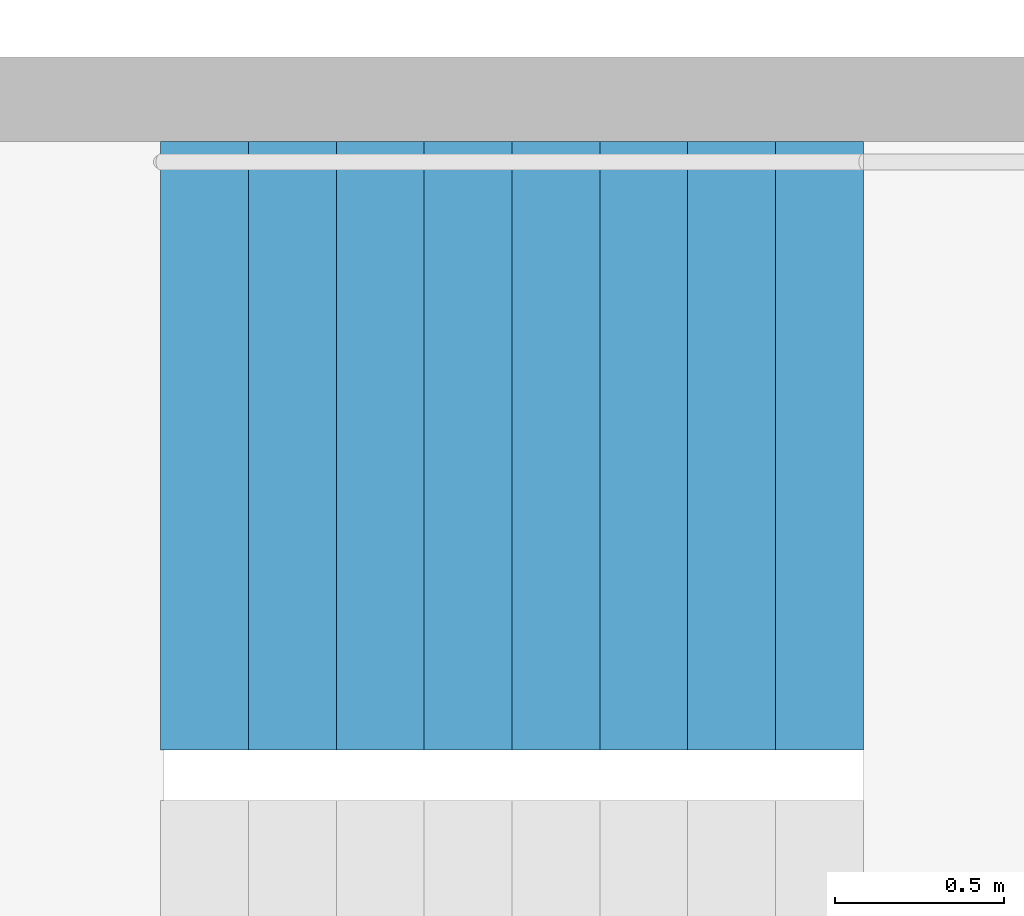
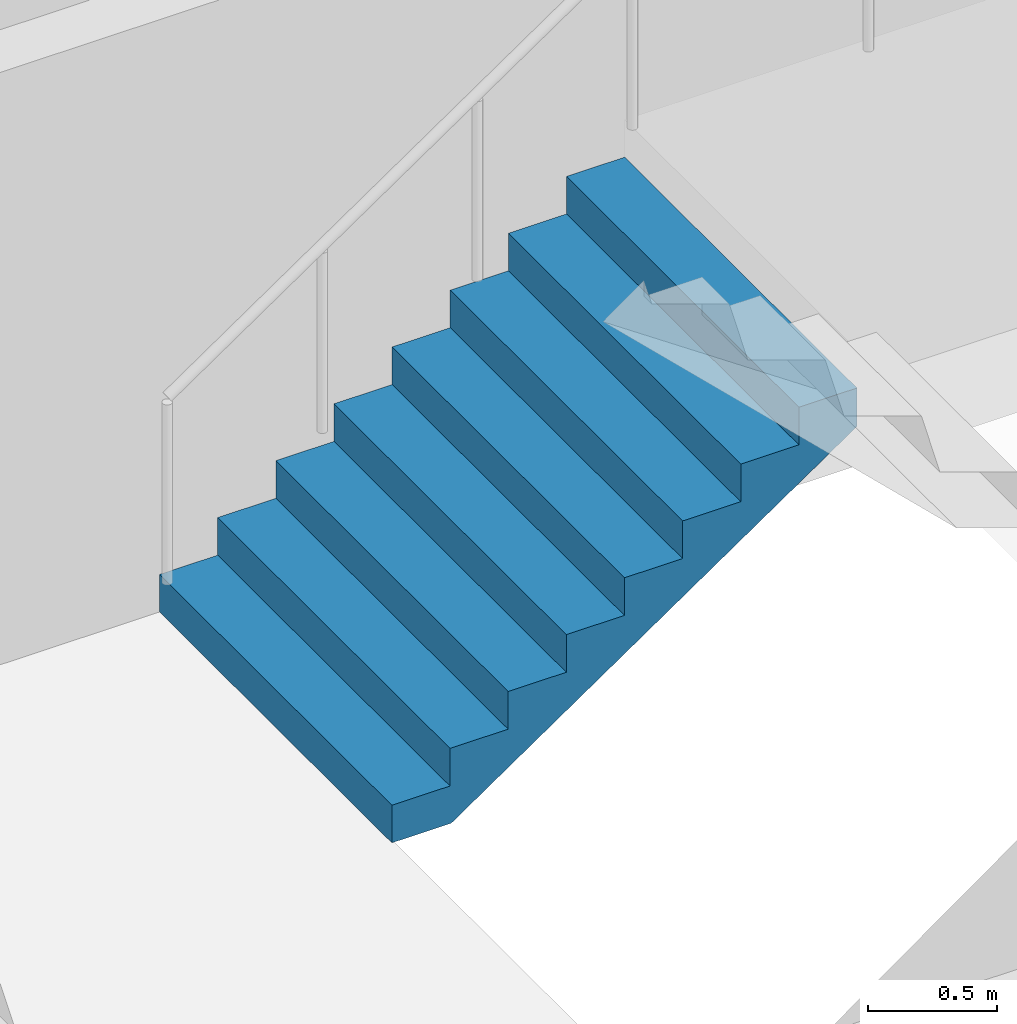
# One storey, part 25 of 28: 1 stair flight, 1 element without a shape of its own.
"""IFC4 building model written with IfcOpenShell, lengths in metres."""

import ifcopenshell
import ifcopenshell.guid

model = None  # the IFC model being written
_history = None  # IfcOwnerHistory: only IFC2X3 demands one
_inside = {}  # id of a spatial element -> (the spatial element, [elements in it])
_under = {}  # id of a project, library or spatial element -> (it, [spatial elements below it])
_declared = {}  # id of a project -> (the project, [libraries it declares])
_typed = {}  # id of a type object -> (the type object, [elements of that type])
_made_of = {}  # id of a material, layer set ... -> (it, [elements and type objects made of it])


def new_model(schema):
    """Start an empty IFC model of exactly this schema.

    Asked for "IFC4X3", IfcOpenShell would pick the latest addendum, in which some entities
    have other attributes; the version numbers below select the first issue.
    IFC2X3 requires an IfcOwnerHistory on every rooted entity: one is made here for all.
    """
    global model, _history
    if schema == "IFC4X3":
        model = ifcopenshell.file(schema_version=(4, 3, 0, 0))
    else:
        model = ifcopenshell.file(schema=schema)
    _inside.clear()
    _under.clear()
    _declared.clear()
    _typed.clear()
    _made_of.clear()
    _history = None
    if model.schema == "IFC2X3":
        org = make("IfcOrganization", Name="unknown")
        user = make(
            "IfcPersonAndOrganization",
            ThePerson=make("IfcPerson", FamilyName="unknown"),
            TheOrganization=org,
        )
        app = make(
            "IfcApplication",
            ApplicationDeveloper=org,
            Version="unknown",
            ApplicationFullName="unknown",
            ApplicationIdentifier="unknown",
        )
        _history = make(
            "IfcOwnerHistory",
            OwningUser=user,
            OwningApplication=app,
            ChangeAction="ADDED",
            CreationDate=0,
        )
    return model


def make(cls, **values):
    """One entity of the class cls with the attributes given. An attribute that is None is left unset."""
    return model.create_entity(
        cls, **{name: value for name, value in values.items() if value is not None}
    )


def rooted(cls, **values):
    """An entity with a GlobalId (a new one), such as an element, a storey or a relation."""
    return make(cls, GlobalId=ifcopenshell.guid.new(), OwnerHistory=_history, **values)


def si_unit(unit_type, name, prefix=None):
    """IfcSIUnit, for example si_unit("LENGTHUNIT", "METRE", prefix="MILLI")."""
    return make("IfcSIUnit", UnitType=unit_type, Prefix=prefix, Name=name)


def assignment(units):
    """IfcUnitAssignment: the units of a project."""
    return None if units is None else make("IfcUnitAssignment", Units=units)


def point(xyz):
    """IfcCartesianPoint."""
    return None if xyz is None else make("IfcCartesianPoint", Coordinates=xyz)


def direction(xyz):
    """IfcDirection."""
    return None if xyz is None else make("IfcDirection", DirectionRatios=xyz)


def frame(location, z_axis=None, x_axis=None):
    """IfcAxis2Placement3D, a coordinate frame: its origin and axes. An axis left out is left unset."""
    return make(
        "IfcAxis2Placement3D",
        Location=point(location),
        Axis=direction(z_axis),
        RefDirection=direction(x_axis),
    )


def origin():
    """The frame at (0, 0, 0) with its axes left unset."""
    return frame((0.0, 0.0, 0.0))


def place(relative_to, where):
    """IfcLocalPlacement: puts the frame where relative to a parent placement (None: the world)."""
    return make(
        "IfcLocalPlacement", PlacementRelTo=relative_to, RelativePlacement=where
    )


def context(
    kind, dimensions, precision=None, world=None, true_north=None, identifier=None
):
    """IfcGeometricRepresentationContext, for example the 3D "Model" context."""
    return make(
        "IfcGeometricRepresentationContext",
        ContextIdentifier=identifier,
        ContextType=kind,
        CoordinateSpaceDimension=dimensions,
        Precision=precision,
        WorldCoordinateSystem=world,
        TrueNorth=true_north,
    )


def subcontext(parent, identifier, kind, view, scale=None):
    """IfcGeometricRepresentationSubContext, for example "Body" below "Model"."""
    return make(
        "IfcGeometricRepresentationSubContext",
        ContextIdentifier=identifier,
        ContextType=kind,
        ParentContext=parent,
        TargetScale=scale,
        TargetView=view,
    )


def project(units=None, contexts=None):
    """IfcProject with its units and contexts."""
    return rooted(
        "IfcProject",
        Name="project",
        RepresentationContexts=contexts,
        UnitsInContext=assignment(units),
    )


def spatial(cls, under=None, at=None, **own):
    """A site, building, storey or space (cls), placed at a placement, below another one or the project."""
    s = rooted(cls, ObjectPlacement=at, **own)
    if under is not None:
        _under.setdefault(under.id(), (under, []))[1].append(s)
    return s


def point_list(points):
    """IfcCartesianPointList2D or 3D."""
    cls = (
        "IfcCartesianPointList2D" if len(points[0]) == 2 else "IfcCartesianPointList3D"
    )
    return make(cls, CoordList=points)


def triangles(points, corners, closed=None, point_numbers=None):
    """IfcTriangulatedFaceSet: each triangle names its three corners, points numbered from 1."""
    return make(
        "IfcTriangulatedFaceSet",
        Coordinates=point_list(points),
        Closed=closed,
        CoordIndex=corners,
        PnIndex=point_numbers,
    )


def shape(context_of_items, identifier, shape_type, items):
    """IfcShapeRepresentation: the items that make up one representation, for example the "Body"."""
    return make(
        "IfcShapeRepresentation",
        ContextOfItems=context_of_items,
        RepresentationIdentifier=identifier,
        RepresentationType=shape_type,
        Items=items,
    )


def material(Name=None, Category=None):
    """IfcMaterial."""
    return make("IfcMaterial", Name=Name, Category=Category)


def made_of(thing, what):
    """Note that an element or type object is made of a material, layer set ...; save() writes the relation."""
    if what is not None:
        _made_of.setdefault(what.id(), (what, []))[1].append(thing)
    return thing


def type_object(cls, material=None, **own):
    """A type object (cls), such as IfcWallType, which elements share."""
    return made_of(rooted(cls, **own), material)


def element(
    cls,
    number,
    at=None,
    inside=None,
    cuts=None,
    type_object=None,
    material=None,
    context=None,
    identifier="Body",
    shape_type=None,
    held_by="IfcProductDefinitionShape",
    body=None,
    shapes=None,
    **own,
):
    """One element of the class cls, such as IfcWall. Its Tag is "e" and its number.

    at: its placement. inside: the storey or other place that contains it. cuts: it is an
    opening in that element (IfcRelVoidsElement). A single representation is given by context,
    identifier, shape_type and body (its items); several are given by shapes. held_by: the class
    of the entity that holds the representations. save() writes the other relations.
    """
    e = rooted(cls, Tag="e%d" % number, ObjectPlacement=at, **own)
    if body is not None:
        shapes = [shape(context, identifier, shape_type, body)]
    if shapes is not None:
        e.Representation = make(held_by, Representations=shapes)
    if inside is not None:
        _inside.setdefault(inside.id(), (inside, []))[1].append(e)
    if cuts is not None:
        rooted(
            "IfcRelVoidsElement", RelatingBuildingElement=cuts, RelatedOpeningElement=e
        )
    if type_object is not None:
        _typed.setdefault(type_object.id(), (type_object, []))[1].append(e)
    return made_of(e, material)


def aggregate(whole, parts):
    """IfcRelAggregates: a whole, such as a stair, and the parts it consists of."""
    return rooted("IfcRelAggregates", RelatingObject=whole, RelatedObjects=parts)


def save(model, path):
    """Write the relations noted so far, then the file.

    IfcRelAggregates (storeys below a building ...), IfcRelContainedInSpatialStructure (elements
    in a storey), IfcRelDefinesByType, IfcRelAssociatesMaterial and IfcRelDeclares: one each for
    every whole, place, type object, material and project.
    """
    for whole, parts in _under.values():
        aggregate(whole, parts)
    for where, things in _inside.values():
        rooted(
            "IfcRelContainedInSpatialStructure",
            RelatedElements=things,
            RelatingStructure=where,
        )
    for kind, things in _typed.values():
        rooted("IfcRelDefinesByType", RelatedObjects=things, RelatingType=kind)
    for what, things in _made_of.values():
        rooted("IfcRelAssociatesMaterial", RelatedObjects=things, RelatingMaterial=what)
    for by, libraries in _declared.values():
        rooted("IfcRelDeclares", RelatingContext=by, RelatedDefinitions=libraries)
    model.write(path)


model = new_model("IFC4")

# Units and contexts
model_context = context("Model", 3, precision=1e-05, world=origin(), true_north=direction((0.0, 1.0)))
body_context = subcontext(model_context, "Body", "Model", "MODEL_VIEW")
ifc_project = project(units=[si_unit("LENGTHUNIT", "METRE"), si_unit("AREAUNIT", "SQUARE_METRE"), si_unit("VOLUMEUNIT", "CUBIC_METRE"), si_unit("PLANEANGLEUNIT", "RADIAN"), si_unit("MASSUNIT", "GRAM", prefix="KILO")], contexts=[model_context])

# Site, building, storey
site_placement = place(None, origin())
site = spatial("IfcSite", under=ifc_project, at=site_placement, CompositionType="ELEMENT")
building_placement = place(site_placement, origin())
building = spatial("IfcBuilding", under=site, at=building_placement, Name="Hakoniwa Tower and Hamabe Station Hall", CompositionType="ELEMENT")
storey_placement = place(building_placement, frame((0.0, 0.0, 42.199951171875)))
storey = spatial("IfcBuildingStorey", under=building, at=storey_placement, Name="L11", CompositionType="ELEMENT", Elevation=42.199951171875)

# Stair, stair flight
ifc_material_1 = material(Name="Concrete C40", Category="concrete")
stair_type = type_object("IfcStairType", Name="ESCAPE STAIR 1800", PredefinedType="HALF_TURN_STAIR", material=ifc_material_1)
stair_placement = place(storey_placement, origin())
stair = element("IfcStair", 1, at=stair_placement, inside=storey, type_object=stair_type, Name="Escape stair ST-4 L11", PredefinedType="HALF_TURN_STAIR")
ifc_material_2 = material(Name="Concrete C40", Category="concrete")
stair_flight_type = type_object("IfcStairFlightType", Name="STAIR FLIGHT 1800", PredefinedType="STRAIGHT", material=ifc_material_2)
stair_flight_placement = place(storey_placement, frame((23.39990234375, -4.64990234375, 0.0), z_axis=(0.0, 0.0, 1.0), x_axis=(1.0, 0.0, 0.0)))
stair_flight = element("IfcStairFlight", 2, at=stair_flight_placement, type_object=stair_flight_type, Name="ST-4 flight 1", NumberOfRisers=9, NumberOfTreads=8, PredefinedType="STRAIGHT", RiserHeight=0.177777778, TreadLength=0.26, context=body_context, shape_type="Tessellation", body=[
    triangles([(0.0, 0.89990234375, 0.0), (0.260009765625, 0.89990234375, 0.0), (0.265625, 0.89990234375, 0.0), (0.52001953125, 0.89990234375, 0.174072265625), (0.780029296875, 0.89990234375, 0.351806640625), (1.0400390625, 0.89990234375, 0.529541015625), (1.300048828125, 0.89990234375, 0.707275390625), (1.56005859375, 0.89990234375, 0.885009765625), (1.820068359375, 0.89990234375, 1.062744140625), (2.080078125, 0.89990234375, 1.24072265625), (2.080078125, 0.89990234375, 1.422119140625), (1.820068359375, 0.89990234375, 1.422119140625), (1.820068359375, 0.89990234375, 1.244384765625), (1.56005859375, 0.89990234375, 1.244384765625), (1.56005859375, 0.89990234375, 1.066650390625), (1.300048828125, 0.89990234375, 1.066650390625), (1.300048828125, 0.89990234375, 0.888916015625), (1.0400390625, 0.89990234375, 0.888916015625), (1.0400390625, 0.89990234375, 0.711181640625), (0.780029296875, 0.89990234375, 0.711181640625), (0.780029296875, 0.89990234375, 0.533447265625), (0.52001953125, 0.89990234375, 0.533447265625), (0.52001953125, 0.89990234375, 0.35546875), (0.265625, 0.89990234375, 0.35546875), (0.260009765625, 0.89990234375, 0.35546875), (0.260009765625, 0.89990234375, 0.177734375), (0.0, 0.89990234375, 0.177734375), (0.0, 0.06005859375, 0.0), (0.260009765625, 0.06005859375, 0.0), (0.265625, 0.06005859375, 0.0), (0.52001953125, 0.06005859375, 0.174072265625), (0.780029296875, 0.06005859375, 0.351806640625), (1.0400390625, 0.06005859375, 0.529541015625), (1.300048828125, 0.06005859375, 0.707275390625), (1.56005859375, 0.06005859375, 0.885009765625), (1.820068359375, 0.06005859375, 1.062744140625), (2.080078125, 0.06005859375, 1.24072265625), (2.080078125, 0.06005859375, 1.422119140625), (1.820068359375, 0.06005859375, 1.422119140625), (1.820068359375, 0.06005859375, 1.244384765625), (1.56005859375, 0.06005859375, 1.244384765625), (1.56005859375, 0.06005859375, 1.066650390625), (1.300048828125, 0.06005859375, 1.066650390625), (1.300048828125, 0.06005859375, 0.888916015625), (1.0400390625, 0.06005859375, 0.888916015625), (1.0400390625, 0.06005859375, 0.711181640625), (0.780029296875, 0.06005859375, 0.711181640625), (0.780029296875, 0.06005859375, 0.533447265625), (0.52001953125, 0.06005859375, 0.533447265625), (0.52001953125, 0.06005859375, 0.35546875), (0.265625, 0.06005859375, 0.35546875), (0.260009765625, 0.06005859375, 0.35546875), (0.260009765625, 0.06005859375, 0.177734375), (0.0, 0.06005859375, 0.177734375), (0.0, 0.04296875, 0.0), (0.260009765625, 0.04296875, 0.0), (0.265625, 0.04296875, 0.0), (0.52001953125, 0.04296875, 0.174072265625), (0.780029296875, 0.04296875, 0.351806640625), (1.0400390625, 0.04296875, 0.529541015625), (1.300048828125, 0.04296875, 0.707275390625), (1.56005859375, 0.04296875, 0.885009765625), (1.820068359375, 0.04296875, 1.062744140625), (2.080078125, 0.04296875, 1.24072265625), (2.080078125, 0.04296875, 1.422119140625), (1.820068359375, 0.04296875, 1.422119140625), (1.820068359375, 0.04296875, 1.244384765625), (1.56005859375, 0.04296875, 1.244384765625), (1.56005859375, 0.04296875, 1.066650390625), (1.300048828125, 0.04296875, 1.066650390625), (1.300048828125, 0.04296875, 0.888916015625), (1.0400390625, 0.04296875, 0.888916015625), (1.0400390625, 0.04296875, 0.711181640625), (0.780029296875, 0.04296875, 0.711181640625), (0.780029296875, 0.04296875, 0.533447265625), (0.52001953125, 0.04296875, 0.533447265625), (0.52001953125, 0.04296875, 0.35546875), (0.265625, 0.04296875, 0.35546875), (0.260009765625, 0.04296875, 0.35546875), (0.260009765625, 0.04296875, 0.177734375), (0.0, 0.04296875, 0.177734375), (0.0, 0.025634765625, 0.0), (0.260009765625, 0.025634765625, 0.0), (0.265625, 0.025634765625, 0.0), (0.52001953125, 0.025634765625, 0.174072265625), (0.780029296875, 0.025634765625, 0.351806640625), (1.0400390625, 0.025634765625, 0.529541015625), (1.300048828125, 0.025634765625, 0.707275390625), (1.56005859375, 0.025634765625, 0.885009765625), (1.820068359375, 0.025634765625, 1.062744140625), (2.080078125, 0.025634765625, 1.24072265625), (2.080078125, 0.025634765625, 1.422119140625), (1.820068359375, 0.025634765625, 1.422119140625), (1.820068359375, 0.025634765625, 1.244384765625), (1.56005859375, 0.025634765625, 1.244384765625), (1.56005859375, 0.025634765625, 1.066650390625), (1.300048828125, 0.025634765625, 1.066650390625), (1.300048828125, 0.025634765625, 0.888916015625), (1.0400390625, 0.025634765625, 0.888916015625), (1.0400390625, 0.025634765625, 0.711181640625), (0.780029296875, 0.025634765625, 0.711181640625), (0.780029296875, 0.025634765625, 0.533447265625), (0.52001953125, 0.025634765625, 0.533447265625), (0.52001953125, 0.025634765625, 0.35546875), (0.265625, 0.025634765625, 0.35546875), (0.260009765625, 0.025634765625, 0.35546875), (0.260009765625, 0.025634765625, 0.177734375), (0.0, 0.025634765625, 0.177734375), (0.0, 0.008544921875, 0.0), (0.260009765625, 0.008544921875, 0.0), (0.265625, 0.008544921875, 0.0), (0.52001953125, 0.008544921875, 0.174072265625), (0.780029296875, 0.008544921875, 0.351806640625), (1.0400390625, 0.008544921875, 0.529541015625), (1.300048828125, 0.008544921875, 0.707275390625), (1.56005859375, 0.008544921875, 0.885009765625), (1.820068359375, 0.008544921875, 1.062744140625), (2.080078125, 0.008544921875, 1.24072265625), (2.080078125, 0.008544921875, 1.422119140625), (1.820068359375, 0.008544921875, 1.422119140625), (1.820068359375, 0.008544921875, 1.244384765625), (1.56005859375, 0.008544921875, 1.244384765625), (1.56005859375, 0.008544921875, 1.066650390625), (1.300048828125, 0.008544921875, 1.066650390625), (1.300048828125, 0.008544921875, 0.888916015625), (1.0400390625, 0.008544921875, 0.888916015625), (1.0400390625, 0.008544921875, 0.711181640625), (0.780029296875, 0.008544921875, 0.711181640625), (0.780029296875, 0.008544921875, 0.533447265625), (0.52001953125, 0.008544921875, 0.533447265625), (0.52001953125, 0.008544921875, 0.35546875), (0.265625, 0.008544921875, 0.35546875), (0.260009765625, 0.008544921875, 0.35546875), (0.260009765625, 0.008544921875, 0.177734375), (0.0, 0.008544921875, 0.177734375), (0.0, -0.008544921875, 0.0), (0.260009765625, -0.008544921875, 0.0), (0.265625, -0.008544921875, 0.0), (0.52001953125, -0.008544921875, 0.174072265625), (0.780029296875, -0.008544921875, 0.351806640625), (1.0400390625, -0.008544921875, 0.529541015625), (1.300048828125, -0.008544921875, 0.707275390625), (1.56005859375, -0.008544921875, 0.885009765625), (1.820068359375, -0.008544921875, 1.062744140625), (2.080078125, -0.008544921875, 1.24072265625), (2.080078125, -0.008544921875, 1.422119140625), (1.820068359375, -0.008544921875, 1.422119140625), (1.820068359375, -0.008544921875, 1.244384765625), (1.56005859375, -0.008544921875, 1.244384765625), (1.56005859375, -0.008544921875, 1.066650390625), (1.300048828125, -0.008544921875, 1.066650390625), (1.300048828125, -0.008544921875, 0.888916015625), (1.0400390625, -0.008544921875, 0.888916015625), (1.0400390625, -0.008544921875, 0.711181640625), (0.780029296875, -0.008544921875, 0.711181640625), (0.780029296875, -0.008544921875, 0.533447265625), (0.52001953125, -0.008544921875, 0.533447265625), (0.52001953125, -0.008544921875, 0.35546875), (0.265625, -0.008544921875, 0.35546875), (0.260009765625, -0.008544921875, 0.35546875), (0.260009765625, -0.008544921875, 0.177734375), (0.0, -0.008544921875, 0.177734375), (0.0, -0.025634765625, 0.0), (0.260009765625, -0.025634765625, 0.0), (0.265625, -0.025634765625, 0.0), (0.52001953125, -0.025634765625, 0.174072265625), (0.780029296875, -0.025634765625, 0.351806640625), (1.0400390625, -0.025634765625, 0.529541015625), (1.300048828125, -0.025634765625, 0.707275390625), (1.56005859375, -0.025634765625, 0.885009765625), (1.820068359375, -0.025634765625, 1.062744140625), (2.080078125, -0.025634765625, 1.24072265625), (2.080078125, -0.025634765625, 1.422119140625), (1.820068359375, -0.025634765625, 1.422119140625), (1.820068359375, -0.025634765625, 1.244384765625), (1.56005859375, -0.025634765625, 1.244384765625), (1.56005859375, -0.025634765625, 1.066650390625), (1.300048828125, -0.025634765625, 1.066650390625), (1.300048828125, -0.025634765625, 0.888916015625), (1.0400390625, -0.025634765625, 0.888916015625), (1.0400390625, -0.025634765625, 0.711181640625), (0.780029296875, -0.025634765625, 0.711181640625), (0.780029296875, -0.025634765625, 0.533447265625), (0.52001953125, -0.025634765625, 0.533447265625), (0.52001953125, -0.025634765625, 0.35546875), (0.265625, -0.025634765625, 0.35546875), (0.260009765625, -0.025634765625, 0.35546875), (0.260009765625, -0.025634765625, 0.177734375), (0.0, -0.025634765625, 0.177734375), (0.0, -0.04296875, 0.0), (0.260009765625, -0.04296875, 0.0), (0.265625, -0.04296875, 0.0), (0.52001953125, -0.04296875, 0.174072265625), (0.780029296875, -0.04296875, 0.351806640625), (1.0400390625, -0.04296875, 0.529541015625), (1.300048828125, -0.04296875, 0.707275390625), (1.56005859375, -0.04296875, 0.885009765625), (1.820068359375, -0.04296875, 1.062744140625), (2.080078125, -0.04296875, 1.24072265625), (2.080078125, -0.04296875, 1.422119140625), (1.820068359375, -0.04296875, 1.422119140625), (1.820068359375, -0.04296875, 1.244384765625), (1.56005859375, -0.04296875, 1.244384765625), (1.56005859375, -0.04296875, 1.066650390625), (1.300048828125, -0.04296875, 1.066650390625), (1.300048828125, -0.04296875, 0.888916015625), (1.0400390625, -0.04296875, 0.888916015625), (1.0400390625, -0.04296875, 0.711181640625), (0.780029296875, -0.04296875, 0.711181640625), (0.780029296875, -0.04296875, 0.533447265625), (0.52001953125, -0.04296875, 0.533447265625), (0.52001953125, -0.04296875, 0.35546875), (0.265625, -0.04296875, 0.35546875), (0.260009765625, -0.04296875, 0.35546875), (0.260009765625, -0.04296875, 0.177734375), (0.0, -0.04296875, 0.177734375), (0.0, -0.06005859375, 0.0), (0.260009765625, -0.06005859375, 0.0), (0.265625, -0.06005859375, 0.0), (0.52001953125, -0.06005859375, 0.174072265625), (0.780029296875, -0.06005859375, 0.351806640625), (1.0400390625, -0.06005859375, 0.529541015625), (1.300048828125, -0.06005859375, 0.707275390625), (1.56005859375, -0.06005859375, 0.885009765625), (1.820068359375, -0.06005859375, 1.062744140625), (2.080078125, -0.06005859375, 1.24072265625), (2.080078125, -0.06005859375, 1.422119140625), (1.820068359375, -0.06005859375, 1.422119140625), (1.820068359375, -0.06005859375, 1.244384765625), (1.56005859375, -0.06005859375, 1.244384765625), (1.56005859375, -0.06005859375, 1.066650390625), (1.300048828125, -0.06005859375, 1.066650390625), (1.300048828125, -0.06005859375, 0.888916015625), (1.0400390625, -0.06005859375, 0.888916015625), (1.0400390625, -0.06005859375, 0.711181640625), (0.780029296875, -0.06005859375, 0.711181640625), (0.780029296875, -0.06005859375, 0.533447265625), (0.52001953125, -0.06005859375, 0.533447265625), (0.52001953125, -0.06005859375, 0.35546875), (0.265625, -0.06005859375, 0.35546875), (0.260009765625, -0.06005859375, 0.35546875), (0.260009765625, -0.06005859375, 0.177734375), (0.0, -0.06005859375, 0.177734375), (0.0, -0.89990234375, 0.0), (0.260009765625, -0.89990234375, 0.0), (0.265625, -0.89990234375, 0.0), (0.52001953125, -0.89990234375, 0.174072265625), (0.780029296875, -0.89990234375, 0.351806640625), (1.0400390625, -0.89990234375, 0.529541015625), (1.300048828125, -0.89990234375, 0.707275390625), (1.56005859375, -0.89990234375, 0.885009765625), (1.820068359375, -0.89990234375, 1.062744140625), (2.080078125, -0.89990234375, 1.24072265625), (2.080078125, -0.89990234375, 1.422119140625), (1.820068359375, -0.89990234375, 1.422119140625), (1.820068359375, -0.89990234375, 1.244384765625), (1.56005859375, -0.89990234375, 1.244384765625), (1.56005859375, -0.89990234375, 1.066650390625), (1.300048828125, -0.89990234375, 1.066650390625), (1.300048828125, -0.89990234375, 0.888916015625), (1.0400390625, -0.89990234375, 0.888916015625), (1.0400390625, -0.89990234375, 0.711181640625), (0.780029296875, -0.89990234375, 0.711181640625), (0.780029296875, -0.89990234375, 0.533447265625), (0.52001953125, -0.89990234375, 0.533447265625), (0.52001953125, -0.89990234375, 0.35546875), (0.265625, -0.89990234375, 0.35546875), (0.260009765625, -0.89990234375, 0.35546875), (0.260009765625, -0.89990234375, 0.177734375), (0.0, -0.89990234375, 0.177734375)], [[2, 27, 26], [245, 269, 270], [2, 1, 27], [245, 270, 244], [3, 25, 24], [246, 267, 268], [3, 26, 25], [246, 268, 269], [3, 2, 26], [246, 269, 245], [4, 24, 23], [247, 266, 267], [4, 3, 24], [247, 267, 246], [5, 22, 21], [248, 264, 265], [5, 23, 22], [248, 265, 266], [5, 4, 23], [248, 266, 247], [6, 20, 19], [249, 262, 263], [6, 21, 20], [249, 263, 264], [6, 5, 21], [249, 264, 248], [7, 18, 17], [250, 260, 261], [7, 19, 18], [250, 261, 262], [7, 6, 19], [250, 262, 249], [8, 16, 15], [251, 258, 259], [8, 17, 16], [251, 259, 260], [8, 7, 17], [251, 260, 250], [9, 14, 13], [252, 256, 257], [9, 15, 14], [252, 257, 258], [9, 8, 15], [252, 258, 251], [10, 12, 11], [253, 254, 255], [10, 13, 12], [253, 255, 256], [10, 9, 13], [253, 256, 252], [1, 2, 29], [1, 29, 28], [28, 29, 56], [28, 56, 55], [55, 56, 83], [55, 83, 82], [82, 83, 110], [82, 110, 109], [109, 110, 137], [109, 137, 136], [136, 137, 164], [136, 164, 163], [163, 164, 191], [163, 191, 190], [190, 191, 218], [190, 218, 217], [217, 218, 245], [217, 245, 244], [2, 3, 30], [2, 30, 29], [29, 30, 57], [29, 57, 56], [56, 57, 84], [56, 84, 83], [83, 84, 111], [83, 111, 110], [110, 111, 138], [110, 138, 137], [137, 138, 165], [137, 165, 164], [164, 165, 192], [164, 192, 191], [191, 192, 219], [191, 219, 218], [218, 219, 246], [218, 246, 245], [3, 4, 31], [3, 31, 30], [30, 31, 58], [30, 58, 57], [57, 58, 85], [57, 85, 84], [84, 85, 112], [84, 112, 111], [111, 112, 139], [111, 139, 138], [138, 139, 166], [138, 166, 165], [165, 166, 193], [165, 193, 192], [192, 193, 220], [192, 220, 219], [219, 220, 247], [219, 247, 246], [4, 5, 32], [4, 32, 31], [31, 32, 59], [31, 59, 58], [58, 59, 86], [58, 86, 85], [85, 86, 113], [85, 113, 112], [112, 113, 140], [112, 140, 139], [139, 140, 167], [139, 167, 166], [166, 167, 194], [166, 194, 193], [193, 194, 221], [193, 221, 220], [220, 221, 248], [220, 248, 247], [5, 6, 33], [5, 33, 32], [32, 33, 60], [32, 60, 59], [59, 60, 87], [59, 87, 86], [86, 87, 114], [86, 114, 113], [113, 114, 141], [113, 141, 140], [140, 141, 168], [140, 168, 167], [167, 168, 195], [167, 195, 194], [194, 195, 222], [194, 222, 221], [221, 222, 249], [221, 249, 248], [6, 7, 34], [6, 34, 33], [33, 34, 61], [33, 61, 60], [60, 61, 88], [60, 88, 87], [87, 88, 115], [87, 115, 114], [114, 115, 142], [114, 142, 141], [141, 142, 169], [141, 169, 168], [168, 169, 196], [168, 196, 195], [195, 196, 223], [195, 223, 222], [222, 223, 250], [222, 250, 249], [7, 8, 35], [7, 35, 34], [34, 35, 62], [34, 62, 61], [61, 62, 89], [61, 89, 88], [88, 89, 116], [88, 116, 115], [115, 116, 143], [115, 143, 142], [142, 143, 170], [142, 170, 169], [169, 170, 197], [169, 197, 196], [196, 197, 224], [196, 224, 223], [223, 224, 251], [223, 251, 250], [8, 9, 36], [8, 36, 35], [35, 36, 63], [35, 63, 62], [62, 63, 90], [62, 90, 89], [89, 90, 117], [89, 117, 116], [116, 117, 144], [116, 144, 143], [143, 144, 171], [143, 171, 170], [170, 171, 198], [170, 198, 197], [197, 198, 225], [197, 225, 224], [224, 225, 252], [224, 252, 251], [9, 10, 37], [9, 37, 36], [36, 37, 64], [36, 64, 63], [63, 64, 91], [63, 91, 90], [90, 91, 118], [90, 118, 117], [117, 118, 145], [117, 145, 144], [144, 145, 172], [144, 172, 171], [171, 172, 199], [171, 199, 198], [198, 199, 226], [198, 226, 225], [225, 226, 253], [225, 253, 252], [10, 11, 38], [10, 38, 37], [37, 38, 65], [37, 65, 64], [64, 65, 92], [64, 92, 91], [91, 92, 119], [91, 119, 118], [118, 119, 146], [118, 146, 145], [145, 146, 173], [145, 173, 172], [172, 173, 200], [172, 200, 199], [199, 200, 227], [199, 227, 226], [226, 227, 254], [226, 254, 253], [11, 12, 39], [11, 39, 38], [38, 39, 66], [38, 66, 65], [65, 66, 93], [65, 93, 92], [92, 93, 120], [92, 120, 119], [119, 120, 147], [119, 147, 146], [146, 147, 174], [146, 174, 173], [173, 174, 201], [173, 201, 200], [200, 201, 228], [200, 228, 227], [227, 228, 255], [227, 255, 254], [12, 13, 40], [12, 40, 39], [39, 40, 67], [39, 67, 66], [66, 67, 94], [66, 94, 93], [93, 94, 121], [93, 121, 120], [120, 121, 148], [120, 148, 147], [147, 148, 175], [147, 175, 174], [174, 175, 202], [174, 202, 201], [201, 202, 229], [201, 229, 228], [228, 229, 256], [228, 256, 255], [13, 14, 41], [13, 41, 40], [40, 41, 68], [40, 68, 67], [67, 68, 95], [67, 95, 94], [94, 95, 122], [94, 122, 121], [121, 122, 149], [121, 149, 148], [148, 149, 176], [148, 176, 175], [175, 176, 203], [175, 203, 202], [202, 203, 230], [202, 230, 229], [229, 230, 257], [229, 257, 256], [14, 15, 42], [14, 42, 41], [41, 42, 69], [41, 69, 68], [68, 69, 96], [68, 96, 95], [95, 96, 123], [95, 123, 122], [122, 123, 150], [122, 150, 149], [149, 150, 177], [149, 177, 176], [176, 177, 204], [176, 204, 203], [203, 204, 231], [203, 231, 230], [230, 231, 258], [230, 258, 257], [15, 16, 43], [15, 43, 42], [42, 43, 70], [42, 70, 69], [69, 70, 97], [69, 97, 96], [96, 97, 124], [96, 124, 123], [123, 124, 151], [123, 151, 150], [150, 151, 178], [150, 178, 177], [177, 178, 205], [177, 205, 204], [204, 205, 232], [204, 232, 231], [231, 232, 259], [231, 259, 258], [16, 17, 44], [16, 44, 43], [43, 44, 71], [43, 71, 70], [70, 71, 98], [70, 98, 97], [97, 98, 125], [97, 125, 124], [124, 125, 152], [124, 152, 151], [151, 152, 179], [151, 179, 178], [178, 179, 206], [178, 206, 205], [205, 206, 233], [205, 233, 232], [232, 233, 260], [232, 260, 259], [17, 18, 45], [17, 45, 44], [44, 45, 72], [44, 72, 71], [71, 72, 99], [71, 99, 98], [98, 99, 126], [98, 126, 125], [125, 126, 153], [125, 153, 152], [152, 153, 180], [152, 180, 179], [179, 180, 207], [179, 207, 206], [206, 207, 234], [206, 234, 233], [233, 234, 261], [233, 261, 260], [18, 19, 46], [18, 46, 45], [45, 46, 73], [45, 73, 72], [72, 73, 100], [72, 100, 99], [99, 100, 127], [99, 127, 126], [126, 127, 154], [126, 154, 153], [153, 154, 181], [153, 181, 180], [180, 181, 208], [180, 208, 207], [207, 208, 235], [207, 235, 234], [234, 235, 262], [234, 262, 261], [19, 20, 47], [19, 47, 46], [46, 47, 74], [46, 74, 73], [73, 74, 101], [73, 101, 100], [100, 101, 128], [100, 128, 127], [127, 128, 155], [127, 155, 154], [154, 155, 182], [154, 182, 181], [181, 182, 209], [181, 209, 208], [208, 209, 236], [208, 236, 235], [235, 236, 263], [235, 263, 262], [20, 21, 48], [20, 48, 47], [47, 48, 75], [47, 75, 74], [74, 75, 102], [74, 102, 101], [101, 102, 129], [101, 129, 128], [128, 129, 156], [128, 156, 155], [155, 156, 183], [155, 183, 182], [182, 183, 210], [182, 210, 209], [209, 210, 237], [209, 237, 236], [236, 237, 264], [236, 264, 263], [21, 22, 49], [21, 49, 48], [48, 49, 76], [48, 76, 75], [75, 76, 103], [75, 103, 102], [102, 103, 130], [102, 130, 129], [129, 130, 157], [129, 157, 156], [156, 157, 184], [156, 184, 183], [183, 184, 211], [183, 211, 210], [210, 211, 238], [210, 238, 237], [237, 238, 265], [237, 265, 264], [22, 23, 50], [22, 50, 49], [49, 50, 77], [49, 77, 76], [76, 77, 104], [76, 104, 103], [103, 104, 131], [103, 131, 130], [130, 131, 158], [130, 158, 157], [157, 158, 185], [157, 185, 184], [184, 185, 212], [184, 212, 211], [211, 212, 239], [211, 239, 238], [238, 239, 266], [238, 266, 265], [23, 24, 51], [23, 51, 50], [50, 51, 78], [50, 78, 77], [77, 78, 105], [77, 105, 104], [104, 105, 132], [104, 132, 131], [131, 132, 159], [131, 159, 158], [158, 159, 186], [158, 186, 185], [185, 186, 213], [185, 213, 212], [212, 213, 240], [212, 240, 239], [239, 240, 267], [239, 267, 266], [24, 25, 52], [24, 52, 51], [51, 52, 79], [51, 79, 78], [78, 79, 106], [78, 106, 105], [105, 106, 133], [105, 133, 132], [132, 133, 160], [132, 160, 159], [159, 160, 187], [159, 187, 186], [186, 187, 214], [186, 214, 213], [213, 214, 241], [213, 241, 240], [240, 241, 268], [240, 268, 267], [25, 26, 53], [25, 53, 52], [52, 53, 80], [52, 80, 79], [79, 80, 107], [79, 107, 106], [106, 107, 134], [106, 134, 133], [133, 134, 161], [133, 161, 160], [160, 161, 188], [160, 188, 187], [187, 188, 215], [187, 215, 214], [214, 215, 242], [214, 242, 241], [241, 242, 269], [241, 269, 268], [26, 27, 54], [26, 54, 53], [53, 54, 81], [53, 81, 80], [80, 81, 108], [80, 108, 107], [107, 108, 135], [107, 135, 134], [134, 135, 162], [134, 162, 161], [161, 162, 189], [161, 189, 188], [188, 189, 216], [188, 216, 215], [215, 216, 243], [215, 243, 242], [242, 243, 270], [242, 270, 269], [27, 1, 28], [27, 28, 54], [54, 28, 55], [54, 55, 81], [81, 55, 82], [81, 82, 108], [108, 82, 109], [108, 109, 135], [135, 109, 136], [135, 136, 162], [162, 136, 163], [162, 163, 189], [189, 163, 190], [189, 190, 216], [216, 190, 217], [216, 217, 243], [243, 217, 244], [243, 244, 270]], closed=True),
])
aggregate(stair, [stair_flight])

save(model, "model.ifc")
